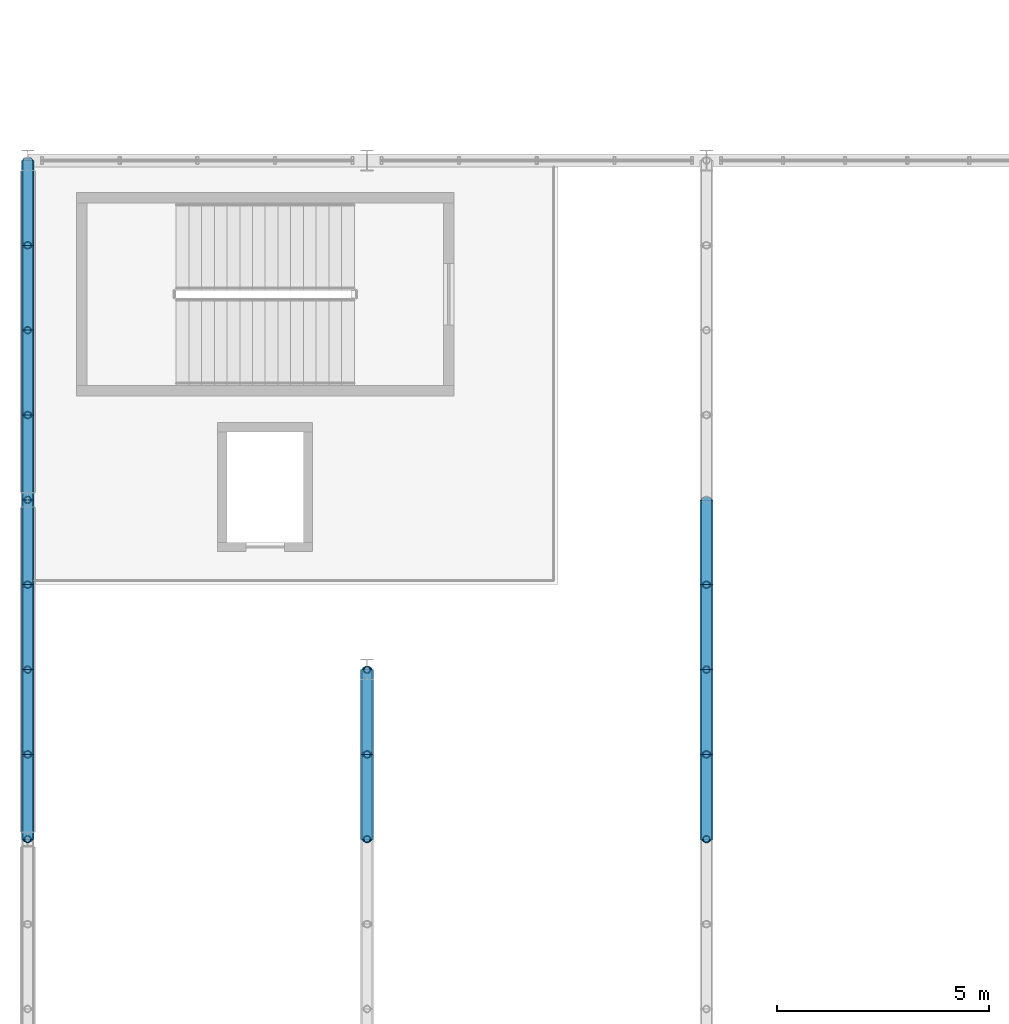
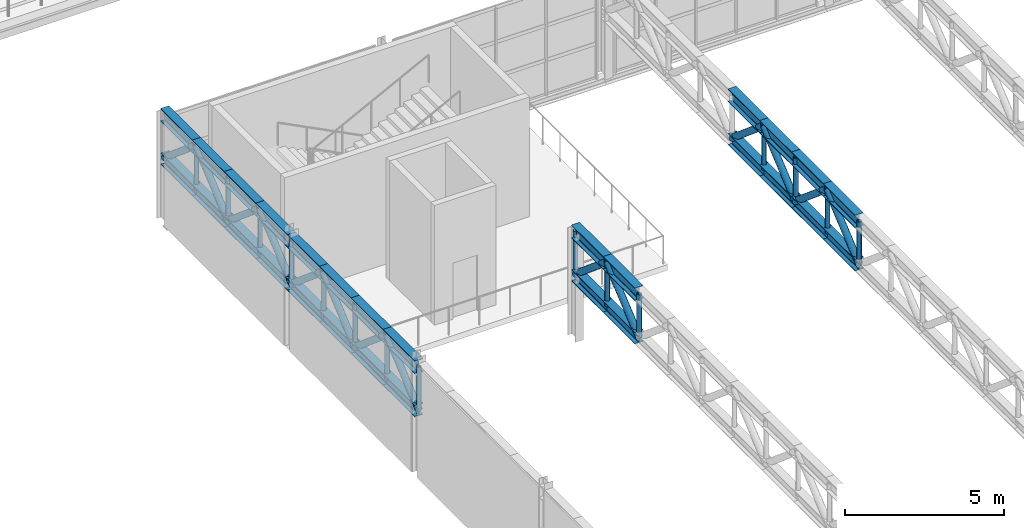
# One storey, part 26 of 67: 57 members.
"""IFC4 building model written with IfcOpenShell, lengths in metres."""

from ifc_helpers import new_model, si_unit, derived_unit, direction, frame, origin, origin_2d, place, context, subcontext, project, spatial, hollow_circle, i_section, extrude, material, material_profile, profile_set, type_object, element, save


model = new_model("IFC4")

# Units and contexts
model_context = context("Model", 3, precision=1e-05, world=origin(), true_north=direction((0.0, 1.0)))
body_context = subcontext(model_context, "Body", "Model", "MODEL_VIEW")
ifc_project = project(units=[si_unit("LENGTHUNIT", "METRE"), si_unit("AREAUNIT", "SQUARE_METRE"), si_unit("VOLUMEUNIT", "CUBIC_METRE"), si_unit("PLANEANGLEUNIT", "RADIAN"), si_unit("MASSUNIT", "GRAM", prefix="KILO"), derived_unit("THERMALTRANSMITTANCEUNIT", [(si_unit("POWERUNIT", "WATT"), 1), (si_unit("LENGTHUNIT", "METRE"), -2), (si_unit("THERMODYNAMICTEMPERATUREUNIT", "KELVIN"), -1)])], contexts=[model_context])

# Site, building, storey
site_placement = place(None, origin())
site = spatial("IfcSite", under=ifc_project, at=site_placement, CompositionType="ELEMENT")
building_placement = place(site_placement, origin())
building = spatial("IfcBuilding", under=site, at=building_placement, Name="Keldorne Ridge Multi-Sports Centre", CompositionType="ELEMENT")
storey_placement = place(building_placement, frame((0.0, 0.0, 14.0)))
storey = spatial("IfcBuildingStorey", under=building, at=storey_placement, Name="L03", CompositionType="ELEMENT", Elevation=14.0)

# Members
ifc_material = material(Name="Steel S355", Category="steel")
ifc_material_profile_1 = material_profile(ifc_material, i_section(OverallWidth=0.300048828125, OverallDepth=0.5, WebThickness=0.014404296875, FlangeThickness=0.028076171875, FilletRadius=0.027099609375, at=origin_2d()), Name="HEB 500")
ifc_profile_set_1 = profile_set([ifc_material_profile_1], Name="Steel S355")
member_type_1 = type_object("IfcMemberType", Name="MEM-TC-03", PredefinedType="CHORD", material=ifc_profile_set_1)
for number, where, z_axis, x_axis, name in (
    (1, (104.0, 38.0, 4.110107421875), (0.0, 1.0, 0.0), (-1.0, 0.0, 0.0), "Stacked Courts Warren TRUSS WT-L04-01 top chord 17"),
    (2, (104.0, 40.0, 4.110107421875), (0.0, 1.0, 0.0), (-1.0, 0.0, 0.0), "Stacked Courts Warren TRUSS WT-L04-01 top chord 18"),
    (3, (104.0, 42.0, 4.110107421875), (0.0, 1.0, 0.0), (-1.0, 0.0, 0.0), "Stacked Courts Warren TRUSS WT-L04-01 top chord 19"),
    (4, (104.0, 44.0, 4.110107421875), (0.0, 1.0, 0.0), (-1.0, 0.0, 0.0), "Stacked Courts Warren TRUSS WT-L04-01 top chord 20"),
    (5, (104.0, 46.0, 4.110107421875), (0.0, 1.0, 0.0), (-1.0, 0.0, 0.0), "Stacked Courts Warren TRUSS WT-L04-01 top chord 21"),
    (6, (104.0, 48.0, 4.110107421875), (0.0, 1.0, 0.0), (-1.0, 0.0, 0.0), "Stacked Courts Warren TRUSS WT-L04-01 top chord 22"),
    (7, (104.0, 50.0, 4.110107421875), (0.0, 1.0, 0.0), (-1.0, 0.0, 0.0), "Stacked Courts Warren TRUSS WT-L04-01 top chord 23"),
    (8, (104.0, 52.0, 4.110107421875), (0.0, 1.0, 0.0), (-1.0, 0.0, 0.0), "Stacked Courts Warren TRUSS WT-L04-01 top chord 24"),
    (9, (112.0, 38.0, 4.110107421875), (0.0, 1.0, 0.0), (-1.0, 0.0, 0.0), "Stacked Courts Warren TRUSS WT-L04-02 top chord 17"),
    (10, (112.0, 40.0, 4.110107421875), (0.0, 1.0, 0.0), (-1.0, 0.0, 0.0), "Stacked Courts Warren TRUSS WT-L04-02 top chord 18"),
    (11, (120.0, 38.0, 4.110107421875), (0.0, 1.0, 0.0), (-1.0, 0.0, 0.0), "Stacked Courts Warren TRUSS WT-L04-03 top chord 17"),
    (12, (120.0, 40.0, 4.110107421875), (0.0, 1.0, 0.0), (-1.0, 0.0, 0.0), "Stacked Courts Warren TRUSS WT-L04-03 top chord 18"),
    (13, (120.0, 42.0, 4.110107421875), (0.0, 1.0, 0.0), (-1.0, 0.0, 0.0), "Stacked Courts Warren TRUSS WT-L04-03 top chord 19"),
    (14, (120.0, 44.0, 4.110107421875), (0.0, 1.0, 0.0), (-1.0, 0.0, 0.0), "Stacked Courts Warren TRUSS WT-L04-03 top chord 20"),
):
    element("IfcMember", number, at=place(storey_placement, frame(where, z_axis=z_axis, x_axis=x_axis)), inside=storey, type_object=member_type_1, Name=name, PredefinedType="CHORD", context=body_context, shape_type="SweptSolid", body=[
        extrude(i_section(OverallWidth=0.300048828125, OverallDepth=0.5, WebThickness=0.014404296875, FlangeThickness=0.028076171875, FilletRadius=0.027099609375, at=origin_2d()), origin(), (0.0, 0.0, 1.0), 2.0),
    ])
ifc_material_profile_2 = material_profile(ifc_material, i_section(OverallWidth=0.300048828125, OverallDepth=0.449951171875, WebThickness=0.013916015625, FlangeThickness=0.02587890625, FilletRadius=0.027099609375, at=origin_2d()), Name="HEB 450")
ifc_profile_set_2 = profile_set([ifc_material_profile_2], Name="Steel S355")
member_type_2 = type_object("IfcMemberType", Name="MEM-TC-04", PredefinedType="CHORD", material=ifc_profile_set_2)
for number, where, z_axis, x_axis, name in (
    (15, (104.0, 38.0, 2.429931640625), (0.0, 1.0, 0.0), (-1.0, 0.0, 0.0), "Stacked Courts Warren TRUSS WT-L04-01 bottom chord 17"),
    (16, (104.0, 40.0, 2.429931640625), (0.0, 1.0, 0.0), (-1.0, 0.0, 0.0), "Stacked Courts Warren TRUSS WT-L04-01 bottom chord 18"),
    (17, (104.0, 42.0, 2.429931640625), (0.0, 1.0, 0.0), (-1.0, 0.0, 0.0), "Stacked Courts Warren TRUSS WT-L04-01 bottom chord 19"),
    (18, (104.0, 44.0, 2.429931640625), (0.0, 1.0, 0.0), (-1.0, 0.0, 0.0), "Stacked Courts Warren TRUSS WT-L04-01 bottom chord 20"),
    (19, (104.0, 46.0, 2.429931640625), (0.0, 1.0, 0.0), (-1.0, 0.0, 0.0), "Stacked Courts Warren TRUSS WT-L04-01 bottom chord 21"),
    (20, (104.0, 48.0, 2.429931640625), (0.0, 1.0, 0.0), (-1.0, 0.0, 0.0), "Stacked Courts Warren TRUSS WT-L04-01 bottom chord 22"),
    (21, (104.0, 50.0, 2.429931640625), (0.0, 1.0, 0.0), (-1.0, 0.0, 0.0), "Stacked Courts Warren TRUSS WT-L04-01 bottom chord 23"),
    (22, (104.0, 52.0, 2.429931640625), (0.0, 1.0, 0.0), (-1.0, 0.0, 0.0), "Stacked Courts Warren TRUSS WT-L04-01 bottom chord 24"),
    (23, (112.0, 38.0, 2.429931640625), (0.0, 1.0, 0.0), (-1.0, 0.0, 0.0), "Stacked Courts Warren TRUSS WT-L04-02 bottom chord 17"),
    (24, (112.0, 40.0, 2.429931640625), (0.0, 1.0, 0.0), (-1.0, 0.0, 0.0), "Stacked Courts Warren TRUSS WT-L04-02 bottom chord 18"),
    (25, (120.0, 38.0, 2.429931640625), (0.0, 1.0, 0.0), (-1.0, 0.0, 0.0), "Stacked Courts Warren TRUSS WT-L04-03 bottom chord 17"),
    (26, (120.0, 40.0, 2.429931640625), (0.0, 1.0, 0.0), (-1.0, 0.0, 0.0), "Stacked Courts Warren TRUSS WT-L04-03 bottom chord 18"),
    (27, (120.0, 42.0, 2.429931640625), (0.0, 1.0, 0.0), (-1.0, 0.0, 0.0), "Stacked Courts Warren TRUSS WT-L04-03 bottom chord 19"),
    (28, (120.0, 44.0, 2.429931640625), (0.0, 1.0, 0.0), (-1.0, 0.0, 0.0), "Stacked Courts Warren TRUSS WT-L04-03 bottom chord 20"),
):
    element("IfcMember", number, at=place(storey_placement, frame(where, z_axis=z_axis, x_axis=x_axis)), inside=storey, type_object=member_type_2, Name=name, PredefinedType="CHORD", context=body_context, shape_type="SweptSolid", body=[
        extrude(i_section(OverallWidth=0.300048828125, OverallDepth=0.449951171875, WebThickness=0.013916015625, FlangeThickness=0.02587890625, FilletRadius=0.027099609375, at=origin_2d()), origin(), (0.0, 0.0, 1.0), 2.0),
    ])
ifc_material_profile_3 = material_profile(ifc_material, hollow_circle(Radius=0.122314453125, WallThickness=0.012451171875, at=origin_2d()), Name="CHS 244.5x12.5")
ifc_profile_set_3 = profile_set([ifc_material_profile_3], Name="Steel S355")
member_type_3 = type_object("IfcMemberType", Name="MEM-TD-02", PredefinedType="BRACE", material=ifc_profile_set_3)
for number, where, z_axis, x_axis, name in (
    (29, (104.0, 38.0, 2.429931640625), (0.0, 0.765671721121, 0.643231541108), (-1.0, 0.0, 0.0), "Stacked Courts Warren TRUSS WT-L04-01 diagonal 17"),
    (30, (104.0, 40.0, 4.110107421875), (0.0, 0.765671721121, -0.643231541108), (-1.0, 0.0, 0.0), "Stacked Courts Warren TRUSS WT-L04-01 diagonal 18"),
    (31, (104.0, 42.0, 2.429931640625), (0.0, 0.765671721121, 0.643231541108), (-1.0, 0.0, 0.0), "Stacked Courts Warren TRUSS WT-L04-01 diagonal 19"),
    (32, (104.0, 44.0, 4.110107421875), (0.0, 0.765671721121, -0.643231541108), (-1.0, 0.0, 0.0), "Stacked Courts Warren TRUSS WT-L04-01 diagonal 20"),
    (33, (104.0, 46.0, 2.429931640625), (0.0, 0.765671721121, 0.643231541108), (-1.0, 0.0, 0.0), "Stacked Courts Warren TRUSS WT-L04-01 diagonal 21"),
    (34, (104.0, 48.0, 4.110107421875), (0.0, 0.765671721121, -0.643231541108), (-1.0, 0.0, 0.0), "Stacked Courts Warren TRUSS WT-L04-01 diagonal 22"),
    (35, (104.0, 50.0, 2.429931640625), (0.0, 0.765671721121, 0.643231541108), (-1.0, 0.0, 0.0), "Stacked Courts Warren TRUSS WT-L04-01 diagonal 23"),
    (36, (104.0, 52.0, 4.110107421875), (0.0, 0.765671721121, -0.643231541108), (-1.0, 0.0, 0.0), "Stacked Courts Warren TRUSS WT-L04-01 diagonal 24"),
    (37, (112.0, 38.0, 2.429931640625), (0.0, 0.765671721121, 0.643231541108), (-1.0, 0.0, 0.0), "Stacked Courts Warren TRUSS WT-L04-02 diagonal 17"),
    (38, (112.0, 40.0, 4.110107421875), (0.0, 0.765671721121, -0.643231541108), (-1.0, 0.0, 0.0), "Stacked Courts Warren TRUSS WT-L04-02 diagonal 18"),
    (39, (120.0, 38.0, 2.429931640625), (0.0, 0.765671721121, 0.643231541108), (-1.0, 0.0, 0.0), "Stacked Courts Warren TRUSS WT-L04-03 diagonal 17"),
    (40, (120.0, 40.0, 4.110107421875), (0.0, 0.765671721121, -0.643231541108), (-1.0, 0.0, 0.0), "Stacked Courts Warren TRUSS WT-L04-03 diagonal 18"),
    (41, (120.0, 42.0, 2.429931640625), (0.0, 0.765671721121, 0.643231541108), (-1.0, 0.0, 0.0), "Stacked Courts Warren TRUSS WT-L04-03 diagonal 19"),
    (42, (120.0, 44.0, 4.110107421875), (0.0, 0.765671721121, -0.643231541108), (-1.0, 0.0, 0.0), "Stacked Courts Warren TRUSS WT-L04-03 diagonal 20"),
):
    element("IfcMember", number, at=place(storey_placement, frame(where, z_axis=z_axis, x_axis=x_axis)), inside=storey, type_object=member_type_3, Name=name, PredefinedType="BRACE", context=body_context, shape_type="SweptSolid", body=[
        extrude(hollow_circle(Radius=0.122314453125, WallThickness=0.012451171875, at=origin_2d()), origin(), (0.0, 0.0, 1.0), 2.612060546875),
    ])
ifc_material_profile_4 = material_profile(ifc_material, hollow_circle(Radius=0.084228515625, WallThickness=0.010009765625, at=origin_2d()), Name="CHS 168.3x10")
ifc_profile_set_4 = profile_set([ifc_material_profile_4], Name="Steel S355")
member_type_4 = type_object("IfcMemberType", Name="MEM-TV-01", PredefinedType="STRUT", material=ifc_profile_set_4)
for number, where, z_axis, x_axis, name in (
    (43, (104.0, 38.0, 2.429931640625), (0.0, 0.0, 1.0), (1.0, 0.0, 0.0), "Stacked Courts Warren TRUSS WT-L04-01 post 17"),
    (44, (104.0, 40.0, 2.429931640625), (0.0, 0.0, 1.0), (1.0, 0.0, 0.0), "Stacked Courts Warren TRUSS WT-L04-01 post 18"),
    (45, (104.0, 42.0, 2.429931640625), (0.0, 0.0, 1.0), (1.0, 0.0, 0.0), "Stacked Courts Warren TRUSS WT-L04-01 post 19"),
    (46, (104.0, 44.0, 2.429931640625), (0.0, 0.0, 1.0), (1.0, 0.0, 0.0), "Stacked Courts Warren TRUSS WT-L04-01 post 20"),
    (47, (104.0, 46.0, 2.429931640625), (0.0, 0.0, 1.0), (1.0, 0.0, 0.0), "Stacked Courts Warren TRUSS WT-L04-01 post 21"),
    (48, (104.0, 48.0, 2.429931640625), (0.0, 0.0, 1.0), (1.0, 0.0, 0.0), "Stacked Courts Warren TRUSS WT-L04-01 post 22"),
    (49, (104.0, 50.0, 2.429931640625), (0.0, 0.0, 1.0), (1.0, 0.0, 0.0), "Stacked Courts Warren TRUSS WT-L04-01 post 23"),
    (50, (104.0, 52.0, 2.429931640625), (0.0, 0.0, 1.0), (1.0, 0.0, 0.0), "Stacked Courts Warren TRUSS WT-L04-01 post 24"),
    (51, (112.0, 38.0, 2.429931640625), (0.0, 0.0, 1.0), (1.0, 0.0, 0.0), "Stacked Courts Warren TRUSS WT-L04-02 post 17"),
    (52, (112.0, 40.0, 2.429931640625), (0.0, 0.0, 1.0), (1.0, 0.0, 0.0), "Stacked Courts Warren TRUSS WT-L04-02 post 18"),
    (53, (112.0, 42.0, 2.429931640625), (0.0, 0.0, 1.0), (1.0, 0.0, 0.0), "Stacked Courts Warren TRUSS WT-L04-02 end post 18"),
    (54, (120.0, 38.0, 2.429931640625), (0.0, 0.0, 1.0), (1.0, 0.0, 0.0), "Stacked Courts Warren TRUSS WT-L04-03 post 17"),
    (55, (120.0, 40.0, 2.429931640625), (0.0, 0.0, 1.0), (1.0, 0.0, 0.0), "Stacked Courts Warren TRUSS WT-L04-03 post 18"),
    (56, (120.0, 42.0, 2.429931640625), (0.0, 0.0, 1.0), (1.0, 0.0, 0.0), "Stacked Courts Warren TRUSS WT-L04-03 post 19"),
    (57, (120.0, 44.0, 2.429931640625), (0.0, 0.0, 1.0), (1.0, 0.0, 0.0), "Stacked Courts Warren TRUSS WT-L04-03 post 20"),
):
    element("IfcMember", number, at=place(storey_placement, frame(where, z_axis=z_axis, x_axis=x_axis)), inside=storey, type_object=member_type_4, Name=name, PredefinedType="STRUT", context=body_context, shape_type="SweptSolid", body=[
        extrude(hollow_circle(Radius=0.084228515625, WallThickness=0.010009765625, at=origin_2d()), origin(), (0.0, 0.0, 1.0), 1.68017578125),
    ])

save(model, "model.ifc")
